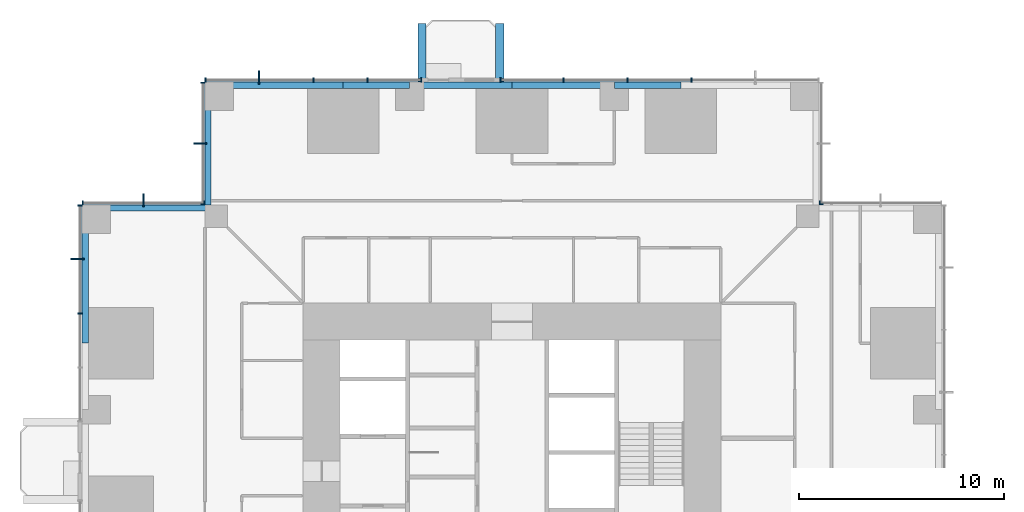
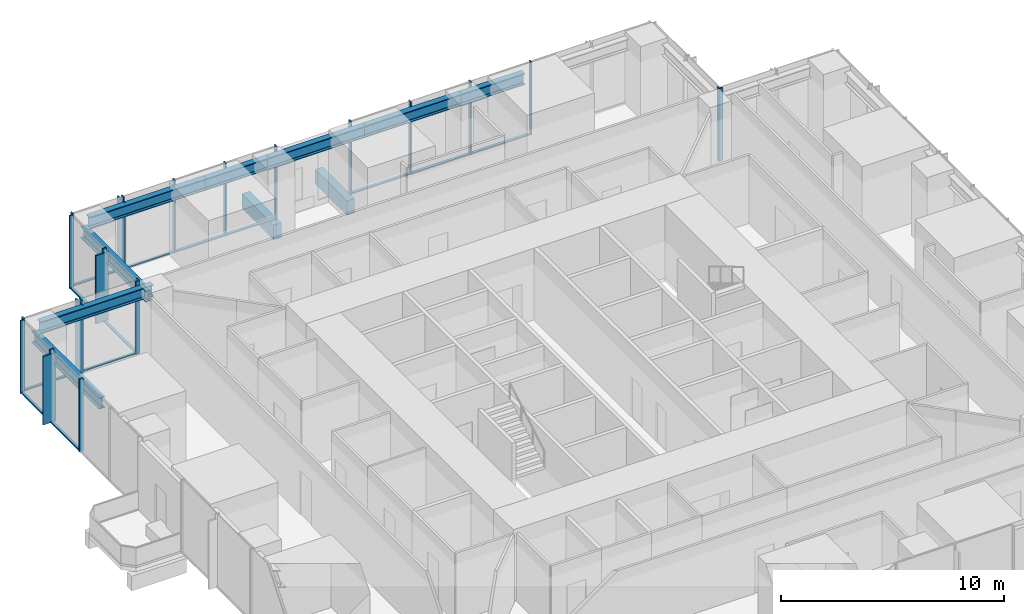
# One storey, part 5 of 15: 37 members, 10 beams, 7 elements without a shape of their own.
"""IFC4 building model written with IfcOpenShell, lengths in metres."""

from ifc_helpers import new_model, si_unit, direction, frame, origin, origin_2d, place, context, subcontext, project, spatial, rectangle, i_section, extrude, material, material_profile, profile_set, type_object, element, aggregate, save


model = new_model("IFC4")

# Units and contexts
model_context = context("Model", 3, precision=1e-05, world=origin(), true_north=direction((0.0, 1.0)))
body_context = subcontext(model_context, "Body", "Model", "MODEL_VIEW")
ifc_project = project(units=[si_unit("LENGTHUNIT", "METRE"), si_unit("AREAUNIT", "SQUARE_METRE"), si_unit("VOLUMEUNIT", "CUBIC_METRE"), si_unit("PLANEANGLEUNIT", "RADIAN"), si_unit("MASSUNIT", "GRAM", prefix="KILO")], contexts=[model_context])

# Site, building, storey
site_placement = place(None, origin())
site = spatial("IfcSite", under=ifc_project, at=site_placement, CompositionType="ELEMENT")
building_placement = place(site_placement, origin())
building = spatial("IfcBuilding", under=site, at=building_placement, Name="Svetlomir Tower", CompositionType="ELEMENT")
storey_placement = place(building_placement, frame((0.0, 0.0, 66.5)))
storey = spatial("IfcBuildingStorey", under=building, at=storey_placement, Name="L15", CompositionType="ELEMENT", Elevation=66.5)

# Beams
ifc_material_1 = material(Name="Concrete C60/75", Category="concrete")
ifc_material_profile_1 = material_profile(ifc_material_1, rectangle(XDim=0.39990234375, YDim=0.800048828125, at=origin_2d()), Name="RC 400x800")
ifc_profile_set_1 = profile_set([ifc_material_profile_1], Name="Concrete C60/75")
beam_type_1 = type_object("IfcBeamType", Name="BALCONY RIB RC 400x800", PredefinedType="BEAM", material=ifc_profile_set_1)
for number, where, z_axis, x_axis, name in (
    (1, (16.60009765625, 42.0, -0.64990234375), (0.0, 1.0, 0.0), (-1.0, 0.0, 0.0), "Balcony rib N 1 L15"),
    (2, (20.39990234375, 42.0, -0.64990234375), (0.0, 1.0, 0.0), (-1.0, 0.0, 0.0), "Balcony rib N 2 L15"),
):
    element("IfcBeam", number, at=place(storey_placement, frame(where, z_axis=z_axis, x_axis=x_axis)), inside=storey, type_object=beam_type_1, Name=name, PredefinedType="BEAM", context=body_context, shape_type="SweptSolid", body=[
        extrude(rectangle(XDim=0.39990234375, YDim=0.800048828125, at=origin_2d()), origin(), (0.0, 0.0, 1.0), 2.85009765625),
    ])

# Curtain wall, member
ifc_material_2 = material(Name="Bronze anodised aluminium curtain wall", Category="aluminium")
curtain_wall_type = type_object("IfcCurtainWallType", Name="CURTAIN WALL CW1 TOWER OFFICE", PredefinedType="NOTDEFINED", material=ifc_material_2)
curtain_wall_1_placement = place(storey_placement, origin())
curtain_wall_1 = element("IfcCurtainWall", 3, at=curtain_wall_1_placement, inside=storey, type_object=curtain_wall_type, Name="Curtain wall CW1 L15", PredefinedType="NOTDEFINED")
ifc_material_3 = material(Name="Bronze anodised aluminium", Category="aluminium")
ifc_material_profile_2 = material_profile(ifc_material_3, rectangle(XDim=0.080078125, YDim=0.64990234375, at=origin_2d()), Name="FIN 80x650")
ifc_profile_set_2 = profile_set([ifc_material_profile_2], Name="Bronze anodised aluminium 6063-T6")
member_type_1 = type_object("IfcMemberType", Name="BRONZE FIN 80x650", PredefinedType="USERDEFINED", material=ifc_profile_set_2)
member_1_placement = place(storey_placement, frame((8.64990234375, 42.22509765625, 0.0), z_axis=(0.0, 0.0, 1.0), x_axis=(1.0, 0.0, 0.0)))
member_1 = element("IfcMember", 4, at=member_1_placement, type_object=member_type_1, Name="Bronze fin L15", ObjectType="FIN", PredefinedType="USERDEFINED", context=body_context, shape_type="SweptSolid", body=[
    extrude(rectangle(XDim=0.080078125, YDim=0.64990234375, at=origin_2d()), origin(), (0.0, 0.0, 1.0), 3.75),
])

curtain_wall_2_placement = place(storey_placement, origin())
curtain_wall_2 = element("IfcCurtainWall", 5, at=curtain_wall_2_placement, inside=storey, type_object=curtain_wall_type, Name="Curtain wall CW1 L15", PredefinedType="NOTDEFINED")
member_2_placement = place(storey_placement, frame((5.77490234375, 39.0, 0.0), z_axis=(0.0, 0.0, 1.0), x_axis=(0.0, 1.0, 0.0)))
member_2 = element("IfcMember", 6, at=member_2_placement, type_object=member_type_1, Name="Bronze fin L15", ObjectType="FIN", PredefinedType="USERDEFINED", context=body_context, shape_type="SweptSolid", body=[
    extrude(rectangle(XDim=0.080078125, YDim=0.64990234375, at=origin_2d()), origin(), (0.0, 0.0, 1.0), 3.75),
])

curtain_wall_3_placement = place(storey_placement, origin())
curtain_wall_3 = element("IfcCurtainWall", 7, at=curtain_wall_3_placement, inside=storey, type_object=curtain_wall_type, Name="Curtain wall CW1 L15", PredefinedType="NOTDEFINED")
member_3_placement = place(storey_placement, frame((3.0, 36.22509765625, 0.0), z_axis=(0.0, 0.0, 1.0), x_axis=(1.0, 0.0, 0.0)))
member_3 = element("IfcMember", 8, at=member_3_placement, type_object=member_type_1, Name="Bronze fin L15", ObjectType="FIN", PredefinedType="USERDEFINED", context=body_context, shape_type="SweptSolid", body=[
    extrude(rectangle(XDim=0.080078125, YDim=0.64990234375, at=origin_2d()), origin(), (0.0, 0.0, 1.0), 3.75),
])

curtain_wall_4_placement = place(storey_placement, origin())
curtain_wall_4 = element("IfcCurtainWall", 9, at=curtain_wall_4_placement, inside=storey, type_object=curtain_wall_type, Name="Curtain wall CW1 L15", PredefinedType="NOTDEFINED")
member_4_placement = place(storey_placement, frame((-0.22509765625, 33.35009765625, 0.0), z_axis=(0.0, 0.0, 1.0), x_axis=(0.0, 1.0, 0.0)))
member_4 = element("IfcMember", 10, at=member_4_placement, type_object=member_type_1, Name="Bronze fin L15", ObjectType="FIN", PredefinedType="USERDEFINED", context=body_context, shape_type="SweptSolid", body=[
    extrude(rectangle(XDim=0.080078125, YDim=0.64990234375, at=origin_2d()), origin(), (0.0, 0.0, 1.0), 3.75),
])

curtain_wall_5_placement = place(storey_placement, origin())
curtain_wall_5 = element("IfcCurtainWall", 11, at=curtain_wall_5_placement, inside=storey, type_object=curtain_wall_type, Name="Curtain wall CW1 L15", PredefinedType="NOTDEFINED")
ifc_material_4 = material(Name="Bronze anodised aluminium", Category="aluminium")
ifc_material_profile_3 = material_profile(ifc_material_4, rectangle(XDim=0.06494140625, YDim=0.199951171875, at=origin_2d()), Name="AL 65x200")
ifc_profile_set_3 = profile_set([ifc_material_profile_3], Name="Bronze anodised aluminium 6063-T6")
member_type_2 = type_object("IfcMemberType", Name="CW1 MULLION 65x200", PredefinedType="MULLION", material=ifc_profile_set_3)
member_5_placement = place(storey_placement, frame((36.032470703125, 36.10009765625, 0.0), z_axis=(0.0, 0.0, 1.0), x_axis=(-1.0, 0.0, 0.0)))
member_5 = element("IfcMember", 12, at=member_5_placement, type_object=member_type_2, Name="CW1 mullion 3", PredefinedType="MULLION", context=body_context, shape_type="SweptSolid", body=[
    extrude(rectangle(XDim=0.06494140625, YDim=0.199951171875, at=origin_2d()), origin(), (0.0, 0.0, 1.0), 4.0),
])
aggregate(curtain_wall_5, [member_5])

curtain_wall_6_placement = place(storey_placement, origin())
curtain_wall_6 = element("IfcCurtainWall", 13, at=curtain_wall_6_placement, inside=storey, type_object=curtain_wall_type, Name="Curtain wall CW1 L15", PredefinedType="NOTDEFINED")
member_6_placement = place(storey_placement, frame((36.10009765625, 36.032470703125, 0.0), z_axis=(0.0, 0.0, 1.0), x_axis=(0.0, 1.0, 0.0)))
member_6 = element("IfcMember", 14, at=member_6_placement, type_object=member_type_2, Name="CW1 mullion 1", PredefinedType="MULLION", context=body_context, shape_type="SweptSolid", body=[
    extrude(rectangle(XDim=0.06494140625, YDim=0.199951171875, at=origin_2d()), origin(), (0.0, 0.0, 1.0), 4.0),
])
aggregate(curtain_wall_6, [member_6])

# Curtain wall, members
curtain_wall_7_placement = place(storey_placement, origin())
curtain_wall_7 = element("IfcCurtainWall", 15, at=curtain_wall_7_placement, inside=storey, type_object=curtain_wall_type, Name="Curtain wall CW1 L15", PredefinedType="NOTDEFINED")
member_7_placement = place(storey_placement, frame((29.760009765625, 42.10009765625, 0.0), z_axis=(0.0, 0.0, 1.0), x_axis=(-1.0, 0.0, 0.0)))
member_7 = element("IfcMember", 16, at=member_7_placement, type_object=member_type_2, Name="CW1 mullion 3", PredefinedType="MULLION", context=body_context, shape_type="SweptSolid", body=[
    extrude(rectangle(XDim=0.06494140625, YDim=0.199951171875, at=origin_2d()), origin(), (0.0, 0.0, 1.0), 4.0),
])
member_8_placement = place(storey_placement, frame((26.639892578125, 42.10009765625, 0.0), z_axis=(0.0, 0.0, 1.0), x_axis=(-1.0, 0.0, 0.0)))
member_8 = element("IfcMember", 17, at=member_8_placement, type_object=member_type_2, Name="CW1 mullion 4", PredefinedType="MULLION", context=body_context, shape_type="SweptSolid", body=[
    extrude(rectangle(XDim=0.06494140625, YDim=0.199951171875, at=origin_2d()), origin(), (0.0, 0.0, 1.0), 4.0),
])
member_9_placement = place(storey_placement, frame((23.52001953125, 42.10009765625, 0.0), z_axis=(0.0, 0.0, 1.0), x_axis=(-1.0, 0.0, 0.0)))
member_9 = element("IfcMember", 18, at=member_9_placement, type_object=member_type_2, Name="CW1 mullion 5", PredefinedType="MULLION", context=body_context, shape_type="SweptSolid", body=[
    extrude(rectangle(XDim=0.06494140625, YDim=0.199951171875, at=origin_2d()), origin(), (0.0, 0.0, 1.0), 4.0),
])
member_10_placement = place(storey_placement, frame((20.4326171875, 42.10009765625, 0.0), z_axis=(0.0, 0.0, 1.0), x_axis=(-1.0, 0.0, 0.0)))
member_10 = element("IfcMember", 19, at=member_10_placement, type_object=member_type_2, Name="CW1 mullion 6", PredefinedType="MULLION", context=body_context, shape_type="SweptSolid", body=[
    extrude(rectangle(XDim=0.06494140625, YDim=0.199951171875, at=origin_2d()), origin(), (0.0, 0.0, 1.0), 4.0),
])

# Member
member_11_placement = place(storey_placement, frame((16.5673828125, 42.10009765625, 0.0), z_axis=(0.0, 0.0, 1.0), x_axis=(-1.0, 0.0, 0.0)))
member_11 = element("IfcMember", 20, at=member_11_placement, type_object=member_type_2, Name="CW1 mullion 1", PredefinedType="MULLION", context=body_context, shape_type="SweptSolid", body=[
    extrude(rectangle(XDim=0.06494140625, YDim=0.199951171875, at=origin_2d()), origin(), (0.0, 0.0, 1.0), 4.0),
])

member_12_placement = place(storey_placement, frame((13.949951171875, 42.10009765625, 0.0), z_axis=(0.0, 0.0, 1.0), x_axis=(-1.0, 0.0, 0.0)))
member_12 = element("IfcMember", 21, at=member_12_placement, type_object=member_type_2, Name="CW1 mullion 2", PredefinedType="MULLION", context=body_context, shape_type="SweptSolid", body=[
    extrude(rectangle(XDim=0.06494140625, YDim=0.199951171875, at=origin_2d()), origin(), (0.0, 0.0, 1.0), 4.0),
])

member_13_placement = place(storey_placement, frame((11.300048828125, 42.10009765625, 0.0), z_axis=(0.0, 0.0, 1.0), x_axis=(-1.0, 0.0, 0.0)))
member_13 = element("IfcMember", 22, at=member_13_placement, type_object=member_type_2, Name="CW1 mullion 3", PredefinedType="MULLION", context=body_context, shape_type="SweptSolid", body=[
    extrude(rectangle(XDim=0.06494140625, YDim=0.199951171875, at=origin_2d()), origin(), (0.0, 0.0, 1.0), 4.0),
])

member_14_placement = place(storey_placement, frame((8.64990234375, 42.10009765625, 0.0), z_axis=(0.0, 0.0, 1.0), x_axis=(-1.0, 0.0, 0.0)))
member_14 = element("IfcMember", 23, at=member_14_placement, type_object=member_type_2, Name="CW1 mullion 4", PredefinedType="MULLION", context=body_context, shape_type="SweptSolid", body=[
    extrude(rectangle(XDim=0.06494140625, YDim=0.199951171875, at=origin_2d()), origin(), (0.0, 0.0, 1.0), 4.0),
])

member_15_placement = place(storey_placement, frame((6.032470703125, 42.10009765625, 0.0), z_axis=(0.0, 0.0, 1.0), x_axis=(-1.0, 0.0, 0.0)))
member_15 = element("IfcMember", 24, at=member_15_placement, type_object=member_type_2, Name="CW1 mullion 5", PredefinedType="MULLION", context=body_context, shape_type="SweptSolid", body=[
    extrude(rectangle(XDim=0.06494140625, YDim=0.199951171875, at=origin_2d()), origin(), (0.0, 0.0, 1.0), 4.0),
])

member_16_placement = place(storey_placement, frame((5.89990234375, 41.967529296875, 0.0), z_axis=(0.0, 0.0, 1.0), x_axis=(0.0, -1.0, 0.0)))
member_16 = element("IfcMember", 25, at=member_16_placement, type_object=member_type_2, Name="CW1 mullion 1", PredefinedType="MULLION", context=body_context, shape_type="SweptSolid", body=[
    extrude(rectangle(XDim=0.06494140625, YDim=0.199951171875, at=origin_2d()), origin(), (0.0, 0.0, 1.0), 4.0),
])

member_17_placement = place(storey_placement, frame((5.89990234375, 39.0, 0.0), z_axis=(0.0, 0.0, 1.0), x_axis=(0.0, -1.0, 0.0)))
member_17 = element("IfcMember", 26, at=member_17_placement, type_object=member_type_2, Name="CW1 mullion 2", PredefinedType="MULLION", context=body_context, shape_type="SweptSolid", body=[
    extrude(rectangle(XDim=0.06494140625, YDim=0.199951171875, at=origin_2d()), origin(), (0.0, 0.0, 1.0), 4.0),
])

member_18_placement = place(storey_placement, frame((5.89990234375, 36.032470703125, 0.0), z_axis=(0.0, 0.0, 1.0), x_axis=(0.0, -1.0, 0.0)))
member_18 = element("IfcMember", 27, at=member_18_placement, type_object=member_type_2, Name="CW1 mullion 3", PredefinedType="MULLION", context=body_context, shape_type="SweptSolid", body=[
    extrude(rectangle(XDim=0.06494140625, YDim=0.199951171875, at=origin_2d()), origin(), (0.0, 0.0, 1.0), 4.0),
])

member_19_placement = place(storey_placement, frame((5.967529296875, 36.10009765625, 0.0), z_axis=(0.0, 0.0, 1.0), x_axis=(-1.0, 0.0, 0.0)))
member_19 = element("IfcMember", 28, at=member_19_placement, type_object=member_type_2, Name="CW1 mullion 1", PredefinedType="MULLION", context=body_context, shape_type="SweptSolid", body=[
    extrude(rectangle(XDim=0.06494140625, YDim=0.199951171875, at=origin_2d()), origin(), (0.0, 0.0, 1.0), 4.0),
])

member_20_placement = place(storey_placement, frame((3.0, 36.10009765625, 0.0), z_axis=(0.0, 0.0, 1.0), x_axis=(-1.0, 0.0, 0.0)))
member_20 = element("IfcMember", 29, at=member_20_placement, type_object=member_type_2, Name="CW1 mullion 2", PredefinedType="MULLION", context=body_context, shape_type="SweptSolid", body=[
    extrude(rectangle(XDim=0.06494140625, YDim=0.199951171875, at=origin_2d()), origin(), (0.0, 0.0, 1.0), 4.0),
])

member_21_placement = place(storey_placement, frame((0.032470703125, 36.10009765625, 0.0), z_axis=(0.0, 0.0, 1.0), x_axis=(-1.0, 0.0, 0.0)))
member_21 = element("IfcMember", 30, at=member_21_placement, type_object=member_type_2, Name="CW1 mullion 3", PredefinedType="MULLION", context=body_context, shape_type="SweptSolid", body=[
    extrude(rectangle(XDim=0.06494140625, YDim=0.199951171875, at=origin_2d()), origin(), (0.0, 0.0, 1.0), 4.0),
])

member_22_placement = place(storey_placement, frame((-0.10009765625, 35.967529296875, 0.0), z_axis=(0.0, 0.0, 1.0), x_axis=(0.0, -1.0, 0.0)))
member_22 = element("IfcMember", 31, at=member_22_placement, type_object=member_type_2, Name="CW1 mullion 1", PredefinedType="MULLION", context=body_context, shape_type="SweptSolid", body=[
    extrude(rectangle(XDim=0.06494140625, YDim=0.199951171875, at=origin_2d()), origin(), (0.0, 0.0, 1.0), 4.0),
])

member_23_placement = place(storey_placement, frame((-0.10009765625, 33.35009765625, 0.0), z_axis=(0.0, 0.0, 1.0), x_axis=(0.0, -1.0, 0.0)))
member_23 = element("IfcMember", 32, at=member_23_placement, type_object=member_type_2, Name="CW1 mullion 2", PredefinedType="MULLION", context=body_context, shape_type="SweptSolid", body=[
    extrude(rectangle(XDim=0.06494140625, YDim=0.199951171875, at=origin_2d()), origin(), (0.0, 0.0, 1.0), 4.0),
])

member_24_placement = place(storey_placement, frame((-0.10009765625, 30.699951171875, 0.0), z_axis=(0.0, 0.0, 1.0), x_axis=(0.0, -1.0, 0.0)))
member_24 = element("IfcMember", 33, at=member_24_placement, type_object=member_type_2, Name="CW1 mullion 3", PredefinedType="MULLION", context=body_context, shape_type="SweptSolid", body=[
    extrude(rectangle(XDim=0.06494140625, YDim=0.199951171875, at=origin_2d()), origin(), (0.0, 0.0, 1.0), 4.0),
])

ifc_material_5 = material(Name="Bronze anodised aluminium", Category="aluminium")
ifc_material_profile_4 = material_profile(ifc_material_5, rectangle(XDim=0.139892578125, YDim=0.06494140625, at=origin_2d()), Name="AL 140x65")
ifc_profile_set_4 = profile_set([ifc_material_profile_4], Name="Bronze anodised aluminium 6063-T6")
member_type_3 = type_object("IfcMemberType", Name="CW1 TRANSOM 65x140", PredefinedType="USERDEFINED", material=ifc_profile_set_4)
member_25_placement = place(storey_placement, frame((29.7275390625, 42.10009765625, 0.032470703125), z_axis=(-1.0, 0.0, 0.0), x_axis=(0.0, -1.0, 0.0)))
member_25 = element("IfcMember", 34, at=member_25_placement, type_object=member_type_3, Name="CW1 transom 3.1", ObjectType="TRANSOM", PredefinedType="USERDEFINED", context=body_context, shape_type="SweptSolid", body=[
    extrude(rectangle(XDim=0.139892578125, YDim=0.06494140625, at=origin_2d()), origin(), (0.0, 0.0, 1.0), 3.054931640625),
])

member_26_placement = place(storey_placement, frame((26.607421875, 42.10009765625, 0.032470703125), z_axis=(-1.0, 0.0, 0.0), x_axis=(0.0, -1.0, 0.0)))
member_26 = element("IfcMember", 35, at=member_26_placement, type_object=member_type_3, Name="CW1 transom 4.1", ObjectType="TRANSOM", PredefinedType="USERDEFINED", context=body_context, shape_type="SweptSolid", body=[
    extrude(rectangle(XDim=0.139892578125, YDim=0.06494140625, at=origin_2d()), origin(), (0.0, 0.0, 1.0), 3.054931640625),
])

member_27_placement = place(storey_placement, frame((23.487548828125, 42.10009765625, 0.032470703125), z_axis=(-1.0, 0.0, 0.0), x_axis=(0.0, -1.0, 0.0)))
member_27 = element("IfcMember", 36, at=member_27_placement, type_object=member_type_3, Name="CW1 transom 5.1", ObjectType="TRANSOM", PredefinedType="USERDEFINED", context=body_context, shape_type="SweptSolid", body=[
    extrude(rectangle(XDim=0.139892578125, YDim=0.06494140625, at=origin_2d()), origin(), (0.0, 0.0, 1.0), 3.0224609375),
])

aggregate(curtain_wall_7, [member_7, member_8, member_9, member_10, member_25, member_26, member_27])

member_28_placement = place(storey_placement, frame((16.534912109375, 42.10009765625, 0.032470703125), z_axis=(-1.0, 0.0, 0.0), x_axis=(0.0, -1.0, 0.0)))
member_28 = element("IfcMember", 37, at=member_28_placement, type_object=member_type_3, Name="CW1 transom 1.1", ObjectType="TRANSOM", PredefinedType="USERDEFINED", context=body_context, shape_type="SweptSolid", body=[
    extrude(rectangle(XDim=0.139892578125, YDim=0.06494140625, at=origin_2d()), origin(), (0.0, 0.0, 1.0), 2.552490234375),
])

member_29_placement = place(storey_placement, frame((13.91748046875, 42.10009765625, 0.032470703125), z_axis=(-1.0, 0.0, 0.0), x_axis=(0.0, -1.0, 0.0)))
member_29 = element("IfcMember", 38, at=member_29_placement, type_object=member_type_3, Name="CW1 transom 2.1", ObjectType="TRANSOM", PredefinedType="USERDEFINED", context=body_context, shape_type="SweptSolid", body=[
    extrude(rectangle(XDim=0.139892578125, YDim=0.06494140625, at=origin_2d()), origin(), (0.0, 0.0, 1.0), 2.5849609375),
])

member_30_placement = place(storey_placement, frame((11.267578125, 42.10009765625, 0.032470703125), z_axis=(-1.0, 0.0, 0.0), x_axis=(0.0, -1.0, 0.0)))
member_30 = element("IfcMember", 39, at=member_30_placement, type_object=member_type_3, Name="CW1 transom 3.1", ObjectType="TRANSOM", PredefinedType="USERDEFINED", context=body_context, shape_type="SweptSolid", body=[
    extrude(rectangle(XDim=0.139892578125, YDim=0.06494140625, at=origin_2d()), origin(), (0.0, 0.0, 1.0), 2.5849609375),
])

member_31_placement = place(storey_placement, frame((8.617431640625, 42.10009765625, 0.032470703125), z_axis=(-1.0, 0.0, 0.0), x_axis=(0.0, -1.0, 0.0)))
member_31 = element("IfcMember", 40, at=member_31_placement, type_object=member_type_3, Name="CW1 transom 4.1", ObjectType="TRANSOM", PredefinedType="USERDEFINED", context=body_context, shape_type="SweptSolid", body=[
    extrude(rectangle(XDim=0.139892578125, YDim=0.06494140625, at=origin_2d()), origin(), (0.0, 0.0, 1.0), 2.552490234375),
])

aggregate(curtain_wall_1, [member_11, member_12, member_13, member_14, member_15, member_28, member_29, member_30, member_31, member_1])

member_32_placement = place(storey_placement, frame((5.89990234375, 41.93505859375, 0.032470703125), z_axis=(0.0, -1.0, 0.0), x_axis=(1.0, 0.0, 0.0)))
member_32 = element("IfcMember", 41, at=member_32_placement, type_object=member_type_3, Name="CW1 transom 1.1", ObjectType="TRANSOM", PredefinedType="USERDEFINED", context=body_context, shape_type="SweptSolid", body=[
    extrude(rectangle(XDim=0.139892578125, YDim=0.06494140625, at=origin_2d()), origin(), (0.0, 0.0, 1.0), 2.902587890625),
])

member_33_placement = place(storey_placement, frame((5.89990234375, 38.967529296875, 0.032470703125), z_axis=(0.0, -1.0, 0.0), x_axis=(1.0, 0.0, 0.0)))
member_33 = element("IfcMember", 42, at=member_33_placement, type_object=member_type_3, Name="CW1 transom 2.1", ObjectType="TRANSOM", PredefinedType="USERDEFINED", context=body_context, shape_type="SweptSolid", body=[
    extrude(rectangle(XDim=0.139892578125, YDim=0.06494140625, at=origin_2d()), origin(), (0.0, 0.0, 1.0), 2.902587890625),
])

aggregate(curtain_wall_2, [member_16, member_17, member_18, member_32, member_33, member_2])

member_34_placement = place(storey_placement, frame((5.93505859375, 36.10009765625, 0.032470703125), z_axis=(-1.0, 0.0, 0.0), x_axis=(0.0, -1.0, 0.0)))
member_34 = element("IfcMember", 43, at=member_34_placement, type_object=member_type_3, Name="CW1 transom 1.1", ObjectType="TRANSOM", PredefinedType="USERDEFINED", context=body_context, shape_type="SweptSolid", body=[
    extrude(rectangle(XDim=0.139892578125, YDim=0.06494140625, at=origin_2d()), origin(), (0.0, 0.0, 1.0), 2.902587890625),
])

member_35_placement = place(storey_placement, frame((2.967529296875, 36.10009765625, 0.032470703125), z_axis=(-1.0, 0.0, 0.0), x_axis=(0.0, -1.0, 0.0)))
member_35 = element("IfcMember", 44, at=member_35_placement, type_object=member_type_3, Name="CW1 transom 2.1", ObjectType="TRANSOM", PredefinedType="USERDEFINED", context=body_context, shape_type="SweptSolid", body=[
    extrude(rectangle(XDim=0.139892578125, YDim=0.06494140625, at=origin_2d()), origin(), (0.0, 0.0, 1.0), 2.902587890625),
])

aggregate(curtain_wall_3, [member_19, member_20, member_21, member_34, member_35, member_3])

member_36_placement = place(storey_placement, frame((-0.10009765625, 35.93505859375, 0.032470703125), z_axis=(0.0, -1.0, 0.0), x_axis=(1.0, 0.0, 0.0)))
member_36 = element("IfcMember", 45, at=member_36_placement, type_object=member_type_3, Name="CW1 transom 1.1", ObjectType="TRANSOM", PredefinedType="USERDEFINED", context=body_context, shape_type="SweptSolid", body=[
    extrude(rectangle(XDim=0.139892578125, YDim=0.06494140625, at=origin_2d()), origin(), (0.0, 0.0, 1.0), 2.552490234375),
])

member_37_placement = place(storey_placement, frame((-0.10009765625, 33.3173828125, 0.032470703125), z_axis=(0.0, -1.0, 0.0), x_axis=(1.0, 0.0, 0.0)))
member_37 = element("IfcMember", 46, at=member_37_placement, type_object=member_type_3, Name="CW1 transom 2.1", ObjectType="TRANSOM", PredefinedType="USERDEFINED", context=body_context, shape_type="SweptSolid", body=[
    extrude(rectangle(XDim=0.139892578125, YDim=0.06494140625, at=origin_2d()), origin(), (0.0, 0.0, 1.0), 2.5849609375),
])

aggregate(curtain_wall_4, [member_22, member_23, member_24, member_36, member_37, member_4])

# Beams
ifc_material_6 = material(Name="Steel S355", Category="steel")
ifc_material_profile_5 = material_profile(ifc_material_6, i_section(OverallWidth=0.304931640625, OverallDepth=0.6201171875, WebThickness=0.02099609375, FlangeThickness=0.0400390625, FilletRadius=0.027099609375, at=origin_2d()), Name="HEM 600")
ifc_profile_set_5 = profile_set([ifc_material_profile_5], Name="Steel S355")
beam_type_2 = type_object("IfcBeamType", Name="EDGE BEAM HEM 600", PredefinedType="SPANDREL", material=ifc_profile_set_5)
beam_1_placement = place(storey_placement, frame((6.699951171875, 41.847412109375, 3.43994140625), z_axis=(1.0, 0.0, 0.0), x_axis=(0.0, 1.0, 0.0)))
element("IfcBeam", 47, at=beam_1_placement, inside=storey, type_object=beam_type_2, Name="Edge beam 6/42 to 11/42 under L16", PredefinedType="SPANDREL", context=body_context, shape_type="SweptSolid", body=[
    extrude(i_section(OverallWidth=0.304931640625, OverallDepth=0.6201171875, WebThickness=0.02099609375, FlangeThickness=0.0400390625, FilletRadius=0.027099609375, at=origin_2d()), origin(), (0.0, 0.0, 1.0), 6.050048828125),
])
beam_2_placement = place(storey_placement, frame((12.75, 41.847412109375, 3.43994140625), z_axis=(1.0, 0.0, 0.0), x_axis=(0.0, 1.0, 0.0)))
element("IfcBeam", 48, at=beam_2_placement, inside=storey, type_object=beam_type_2, Name="Edge beam 11/42 to 16/42 under L16", PredefinedType="SPANDREL", context=body_context, shape_type="SweptSolid", body=[
    extrude(i_section(OverallWidth=0.304931640625, OverallDepth=0.6201171875, WebThickness=0.02099609375, FlangeThickness=0.0400390625, FilletRadius=0.027099609375, at=origin_2d()), origin(), (0.0, 0.0, 1.0), 3.25),
])
for number, where, z_axis, x_axis, name in (
    (49, (16.0, 41.847412109375, 3.43994140625), (1.0, 0.0, 0.0), (0.0, 1.0, 0.0), "Edge beam 16/42 to 21/42 under L16"),
    (50, (21.0, 41.847412109375, 3.43994140625), (1.0, 0.0, 0.0), (0.0, 1.0, 0.0), "Edge beam 21/42 to 26/42 under L16"),
):
    element("IfcBeam", number, at=place(storey_placement, frame(where, z_axis=z_axis, x_axis=x_axis)), inside=storey, type_object=beam_type_2, Name=name, PredefinedType="SPANDREL", context=body_context, shape_type="SweptSolid", body=[
        extrude(i_section(OverallWidth=0.304931640625, OverallDepth=0.6201171875, WebThickness=0.02099609375, FlangeThickness=0.0400390625, FilletRadius=0.027099609375, at=origin_2d()), origin(), (0.0, 0.0, 1.0), 5.0),
    ])
beam_3_placement = place(storey_placement, frame((26.0, 41.847412109375, 3.43994140625), z_axis=(1.0, 0.0, 0.0), x_axis=(0.0, 1.0, 0.0)))
element("IfcBeam", 51, at=beam_3_placement, inside=storey, type_object=beam_type_2, Name="Edge beam 26/42 to 31/42 under L16", PredefinedType="SPANDREL", context=body_context, shape_type="SweptSolid", body=[
    extrude(i_section(OverallWidth=0.304931640625, OverallDepth=0.6201171875, WebThickness=0.02099609375, FlangeThickness=0.0400390625, FilletRadius=0.027099609375, at=origin_2d()), origin(), (0.0, 0.0, 1.0), 3.25),
])
beam_4_placement = place(storey_placement, frame((0.152587890625, 29.25, 3.43994140625), z_axis=(0.0, 1.0, 0.0), x_axis=(-1.0, 0.0, 0.0)))
element("IfcBeam", 52, at=beam_4_placement, inside=storey, type_object=beam_type_2, Name="Edge beam 0/31 to 0/36 under L16", PredefinedType="SPANDREL", context=body_context, shape_type="SweptSolid", body=[
    extrude(i_section(OverallWidth=0.304931640625, OverallDepth=0.6201171875, WebThickness=0.02099609375, FlangeThickness=0.0400390625, FilletRadius=0.027099609375, at=origin_2d()), origin(), (0.0, 0.0, 1.0), 6.050048828125),
])
for number, where, z_axis, x_axis, name in (
    (53, (6.152587890625, 41.300048828125, 3.43994140625), (0.0, -1.0, 0.0), (1.0, 0.0, 0.0), "Edge beam 6/42 to 6/36 under L16"),
    (54, (0.699951171875, 35.847412109375, 3.43994140625), (1.0, 0.0, 0.0), (0.0, 1.0, 0.0), "Edge beam 0/36 to 6/36 under L16"),
):
    element("IfcBeam", number, at=place(storey_placement, frame(where, z_axis=z_axis, x_axis=x_axis)), inside=storey, type_object=beam_type_2, Name=name, PredefinedType="SPANDREL", context=body_context, shape_type="SweptSolid", body=[
        extrude(i_section(OverallWidth=0.304931640625, OverallDepth=0.6201171875, WebThickness=0.02099609375, FlangeThickness=0.0400390625, FilletRadius=0.027099609375, at=origin_2d()), origin(), (0.0, 0.0, 1.0), 5.85009765625),
    ])

save(model, "model.ifc")
